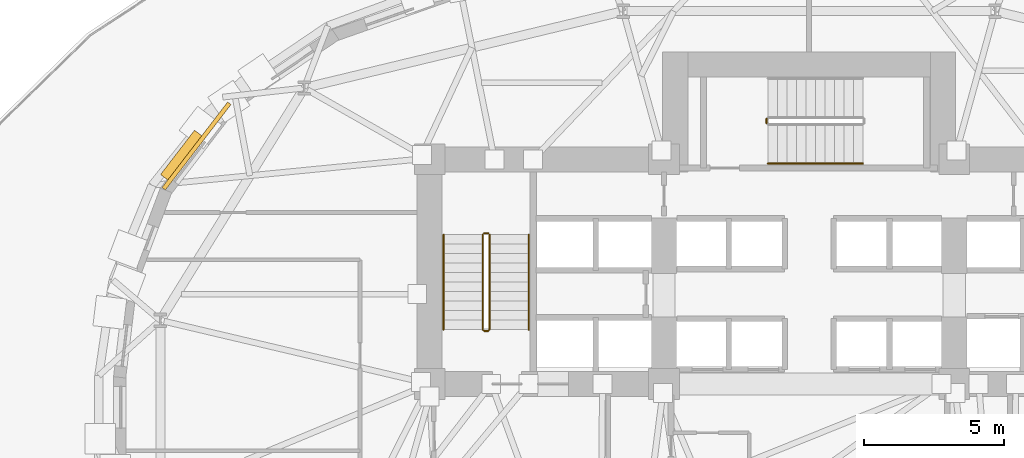
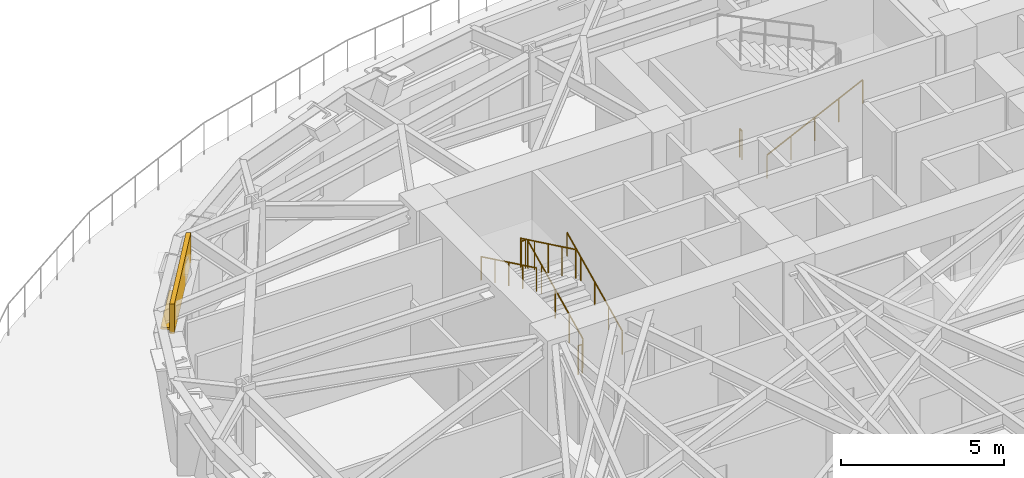
# One storey, part 11 of 14: 8 railings, 1 covering, 1 shading device.
"""IFC4 building model written with IfcOpenShell, lengths in metres."""

from ifc_helpers import new_model, si_unit, direction, frame, origin, origin_2d, place, context, subcontext, project, spatial, rectangle, circle, extrude, material, layer, layer_set, type_object, element, save


model = new_model("IFC4")

# Units and contexts
model_context = context("Model", 3, precision=1e-05, world=origin(), true_north=direction((0.0, 1.0)))
body_context = subcontext(model_context, "Body", "Model", "MODEL_VIEW")
ifc_project = project(units=[si_unit("LENGTHUNIT", "METRE"), si_unit("AREAUNIT", "SQUARE_METRE"), si_unit("VOLUMEUNIT", "CUBIC_METRE"), si_unit("PLANEANGLEUNIT", "RADIAN"), si_unit("MASSUNIT", "GRAM", prefix="KILO")], contexts=[model_context])

# Site, building, storey
site_placement = place(None, origin())
site = spatial("IfcSite", under=ifc_project, at=site_placement, CompositionType="ELEMENT")
building_placement = place(site_placement, origin())
building = spatial("IfcBuilding", under=site, at=building_placement, Name="Keldmark Tower", CompositionType="ELEMENT")
storey_placement = place(building_placement, frame((0.0, 0.0, 27.0)))
storey = spatial("IfcBuildingStorey", under=building, at=storey_placement, Name="L06", CompositionType="ELEMENT", Elevation=27.0)

# Shading device
ifc_material_1 = material(Name="Kasota Buff Limestone Bullnose and Bronze Anodized Aluminum", Category="masonry")
ifc_layer_1 = layer(ifc_material_1, 0.080078125)
ifc_layer_set_1 = layer_set([ifc_layer_1], Name="Kasota Buff Limestone Bullnose and Bronze Anodized Aluminum")
shading_device_type = type_object("IfcShadingDeviceType", Name="Deep-Set Punched Window Stone-and-Metal Sunshade", PredefinedType="AWNING", material=ifc_layer_set_1)
shading_device_placement = place(storey_placement, frame((-22.468994140625, 9.571533203125, 2.35986328125), z_axis=(0.0, 0.0, 1.0), x_axis=(0.60883065983, 0.793300212814, 0.0)))
element("IfcShadingDevice", 1, at=shading_device_placement, inside=storey, type_object=shading_device_type, Name="L06 Kasota Stone Window Sunshade 13", PredefinedType="AWNING", context=body_context, shape_type="SweptSolid", body=[
    extrude(rectangle(XDim=2.0, YDim=0.419921875, at=origin_2d()), origin(), (0.0, 0.0, 1.0), 0.080078125),
])

# Covering
ifc_material_2 = material(Name="Honed Kasota Buff Dolomitic Limestone", Category="masonry")
ifc_layer_2 = layer(ifc_material_2, 0.074951171875)
ifc_layer_set_2 = layer_set([ifc_layer_2], Name="Honed Kasota Buff Dolomitic Limestone")
covering_type = type_object("IfcCoveringType", Name="Kasota Buff Limestone Spandrel Cladding Band", PredefinedType="CLADDING", material=ifc_layer_set_2)
covering_placement = place(storey_placement, frame((-21.956787109375, 9.927001953125, 2.453125), z_axis=(0.0, 0.0, 1.0), x_axis=(-0.60883065983, -0.793300212814, 0.0)))
element("IfcCovering", 2, at=covering_placement, inside=storey, type_object=covering_type, Name="L06 Kasota Limestone Spandrel Band 13", PredefinedType="CLADDING", context=body_context, shape_type="SweptSolid", body=[
    extrude(rectangle(XDim=3.861328125, YDim=0.14990234375, at=origin_2d()), origin(), (0.0, 0.0, 1.0), 1.126953125),
])

# Railings
ifc_material_3 = material(Name="Painted Steel ASTM A500 Grade B", Category="steel")
railing_type_1 = type_object("IfcRailingType", Name="Painted Steel Stair Well Guard 1100 mm", PredefinedType="GUARDRAIL", material=ifc_material_3)
railing_1_placement = place(storey_placement, frame((-11.449951171875, 3.35009765625, 0.16357421875)))
element("IfcRailing", 3, at=railing_1_placement, inside=storey, type_object=railing_type_1, Name="L06 ST1 stair guard 1", PredefinedType="GUARDRAIL", context=body_context, shape_type="SweptSolid", body=[
    extrude(circle(Radius=0.02392578125, at=origin_2d()), frame((0.0, 0.0, 1.076171875), z_axis=(0.0, 0.901055053782, 0.433704726806), x_axis=(-1.0, 0.0, 0.0)), (0.0, 0.0, 1.0), 3.773193359375),
    extrude(circle(Radius=0.02099609375, at=origin_2d()), origin(), (0.0, 0.0, 1.0), 1.052001953125),
    extrude(circle(Radius=0.02099609375, at=origin_2d()), frame((0.0, 0.85009765625, 0.4091796875)), (0.0, 0.0, 1.0), 1.052001953125),
    extrude(circle(Radius=0.02099609375, at=origin_2d()), frame((0.0, 1.699951171875, 0.818359375)), (0.0, 0.0, 1.0), 1.052001953125),
    extrude(circle(Radius=0.02099609375, at=origin_2d()), frame((0.0, 2.5498046875, 1.227294921875)), (0.0, 0.0, 1.0), 1.052001953125),
    extrude(circle(Radius=0.02099609375, at=origin_2d()), frame((0.0, 3.39990234375, 1.636474609375)), (0.0, 0.0, 1.0), 1.052001953125),
])
railing_2_placement = place(storey_placement, frame((-11.5, 6.800048828125, 1.800048828125)))
element("IfcRailing", 4, at=railing_2_placement, inside=storey, type_object=railing_type_1, Name="L06 ST1 stair guard 2", PredefinedType="GUARDRAIL", context=body_context, shape_type="SweptSolid", body=[
    extrude(circle(Radius=0.02392578125, at=origin_2d()), frame((0.0, 0.0, 1.076171875), z_axis=(-1.0, 0.0, 0.0), x_axis=(0.0, -1.0, 0.0)), (0.0, 0.0, 1.0), 0.14990234375),
    extrude(circle(Radius=0.02099609375, at=origin_2d()), origin(), (0.0, 0.0, 1.0), 1.052001953125),
    extrude(circle(Radius=0.02099609375, at=origin_2d()), frame((-0.14990234375, 0.0, 0.0)), (0.0, 0.0, 1.0), 1.052001953125),
])
railing_3_placement = place(storey_placement, frame((-11.699951171875, 6.75, 1.963623046875)))
element("IfcRailing", 5, at=railing_3_placement, inside=storey, type_object=railing_type_1, Name="L06 ST1 stair guard 3", PredefinedType="GUARDRAIL", context=body_context, shape_type="SweptSolid", body=[
    extrude(circle(Radius=0.02392578125, at=origin_2d()), frame((0.0, 0.0, 1.076171875), z_axis=(0.0, -0.901055053782, 0.433704726806), x_axis=(1.0, 0.0, 0.0)), (0.0, 0.0, 1.0), 3.773193359375),
    extrude(circle(Radius=0.02099609375, at=origin_2d()), origin(), (0.0, 0.0, 1.0), 1.052001953125),
    extrude(circle(Radius=0.02099609375, at=origin_2d()), frame((0.0, -0.85009765625, 0.4091796875)), (0.0, 0.0, 1.0), 1.052001953125),
    extrude(circle(Radius=0.02099609375, at=origin_2d()), frame((0.0, -1.699951171875, 0.818359375)), (0.0, 0.0, 1.0), 1.052001953125),
    extrude(circle(Radius=0.02099609375, at=origin_2d()), frame((0.0, -2.5498046875, 1.227294921875)), (0.0, 0.0, 1.0), 1.052001953125),
    extrude(circle(Radius=0.02099609375, at=origin_2d()), frame((0.0, -3.39990234375, 1.636474609375)), (0.0, 0.0, 1.0), 1.052001953125),
])
railing_4_placement = place(storey_placement, frame((-11.5, 3.300048828125, 0.0)))
element("IfcRailing", 6, at=railing_4_placement, inside=storey, type_object=railing_type_1, Name="L06 ST1 stair guard 4", PredefinedType="GUARDRAIL", context=body_context, shape_type="SweptSolid", body=[
    extrude(circle(Radius=0.02392578125, at=origin_2d()), frame((0.0, 0.0, 1.076171875), z_axis=(-1.0, 0.0, 0.0), x_axis=(0.0, -1.0, 0.0)), (0.0, 0.0, 1.0), 0.14990234375),
    extrude(circle(Radius=0.02099609375, at=origin_2d()), origin(), (0.0, 0.0, 1.0), 1.052001953125),
    extrude(circle(Radius=0.02099609375, at=origin_2d()), frame((-0.14990234375, 0.0, 0.0)), (0.0, 0.0, 1.0), 1.052001953125),
])
railing_5_placement = place(storey_placement, frame((-1.52490234375, 10.75, 0.0)))
element("IfcRailing", 7, at=railing_5_placement, inside=storey, type_object=railing_type_1, Name="L06 ST3 stair guard 4", PredefinedType="GUARDRAIL", context=body_context, shape_type="SweptSolid", body=[
    extrude(circle(Radius=0.02392578125, at=origin_2d()), frame((0.0, 0.0, 1.076171875), z_axis=(0.0, 1.0, 0.0), x_axis=(-1.0, 0.0, 0.0)), (0.0, 0.0, 1.0), 0.14990234375),
    extrude(circle(Radius=0.02099609375, at=origin_2d()), origin(), (0.0, 0.0, 1.0), 1.052001953125),
    extrude(circle(Radius=0.02099609375, at=origin_2d()), frame((0.0, 0.14990234375, 0.0)), (0.0, 0.0, 1.0), 1.052001953125),
])
ifc_material_4 = material(Name="Stainless Steel AISI 316L", Category="steel")
railing_type_2 = type_object("IfcRailingType", Name="Stainless Steel Stair Handrail 900 mm", PredefinedType="HANDRAIL", material=ifc_material_4)
railing_6_placement = place(storey_placement, frame((-10.050048828125, 3.35009765625, 0.16357421875)))
element("IfcRailing", 8, at=railing_6_placement, inside=storey, type_object=railing_type_2, Name="L06 ST1 stair handrail 1", PredefinedType="HANDRAIL", context=body_context, shape_type="SweptSolid", body=[
    extrude(circle(Radius=0.02392578125, at=origin_2d()), frame((0.0, 0.0, 0.8759765625), z_axis=(0.0, 0.901055053782, 0.433704726806), x_axis=(-1.0, 0.0, 0.0)), (0.0, 0.0, 1.0), 3.773193359375),
    extrude(circle(Radius=0.02099609375, at=origin_2d()), origin(), (0.0, 0.0, 1.0), 0.851806640625),
    extrude(circle(Radius=0.02099609375, at=origin_2d()), frame((0.0, 0.85009765625, 0.4091796875)), (0.0, 0.0, 1.0), 0.851806640625),
    extrude(circle(Radius=0.02099609375, at=origin_2d()), frame((0.0, 1.699951171875, 0.818359375)), (0.0, 0.0, 1.0), 0.851806640625),
    extrude(circle(Radius=0.02099609375, at=origin_2d()), frame((0.0, 2.5498046875, 1.227294921875)), (0.0, 0.0, 1.0), 0.851806640625),
    extrude(circle(Radius=0.02099609375, at=origin_2d()), frame((0.0, 3.39990234375, 1.636474609375)), (0.0, 0.0, 1.0), 0.851806640625),
])
railing_7_placement = place(storey_placement, frame((-13.10009765625, 6.75, 1.963623046875)))
element("IfcRailing", 9, at=railing_7_placement, inside=storey, type_object=railing_type_2, Name="L06 ST1 stair handrail 2", PredefinedType="HANDRAIL", context=body_context, shape_type="SweptSolid", body=[
    extrude(circle(Radius=0.02392578125, at=origin_2d()), frame((0.0, 0.0, 0.8759765625), z_axis=(0.0, -0.901055053782, 0.433704726806), x_axis=(1.0, 0.0, 0.0)), (0.0, 0.0, 1.0), 3.773193359375),
    extrude(circle(Radius=0.02099609375, at=origin_2d()), origin(), (0.0, 0.0, 1.0), 0.851806640625),
    extrude(circle(Radius=0.02099609375, at=origin_2d()), frame((0.0, -0.85009765625, 0.4091796875)), (0.0, 0.0, 1.0), 0.851806640625),
    extrude(circle(Radius=0.02099609375, at=origin_2d()), frame((0.0, -1.699951171875, 0.818359375)), (0.0, 0.0, 1.0), 0.851806640625),
    extrude(circle(Radius=0.02099609375, at=origin_2d()), frame((0.0, -2.5498046875, 1.227294921875)), (0.0, 0.0, 1.0), 0.851806640625),
    extrude(circle(Radius=0.02099609375, at=origin_2d()), frame((0.0, -3.39990234375, 1.636474609375)), (0.0, 0.0, 1.0), 0.851806640625),
])
railing_8_placement = place(storey_placement, frame((-1.47509765625, 9.300048828125, 0.16357421875)))
element("IfcRailing", 10, at=railing_8_placement, inside=storey, type_object=railing_type_2, Name="L06 ST3 stair handrail 1", PredefinedType="HANDRAIL", context=body_context, shape_type="SweptSolid", body=[
    extrude(circle(Radius=0.02392578125, at=origin_2d()), frame((0.0, 0.0, 0.8759765625), z_axis=(0.901067223353, 0.0, 0.433679442675), x_axis=(0.0, 1.0, 0.0)), (0.0, 0.0, 1.0), 3.7734375),
    extrude(circle(Radius=0.02099609375, at=origin_2d()), origin(), (0.0, 0.0, 1.0), 0.851806640625),
    extrude(circle(Radius=0.02099609375, at=origin_2d()), frame((0.85009765625, 0.0, 0.4091796875)), (0.0, 0.0, 1.0), 0.851806640625),
    extrude(circle(Radius=0.02099609375, at=origin_2d()), frame((1.7001953125, 0.0, 0.818359375)), (0.0, 0.0, 1.0), 0.851806640625),
    extrude(circle(Radius=0.02099609375, at=origin_2d()), frame((2.550048828125, 0.0, 1.227294921875)), (0.0, 0.0, 1.0), 0.851806640625),
    extrude(circle(Radius=0.02099609375, at=origin_2d()), frame((3.400146484375, 0.0, 1.636474609375)), (0.0, 0.0, 1.0), 0.851806640625),
])

save(model, "model.ifc")
